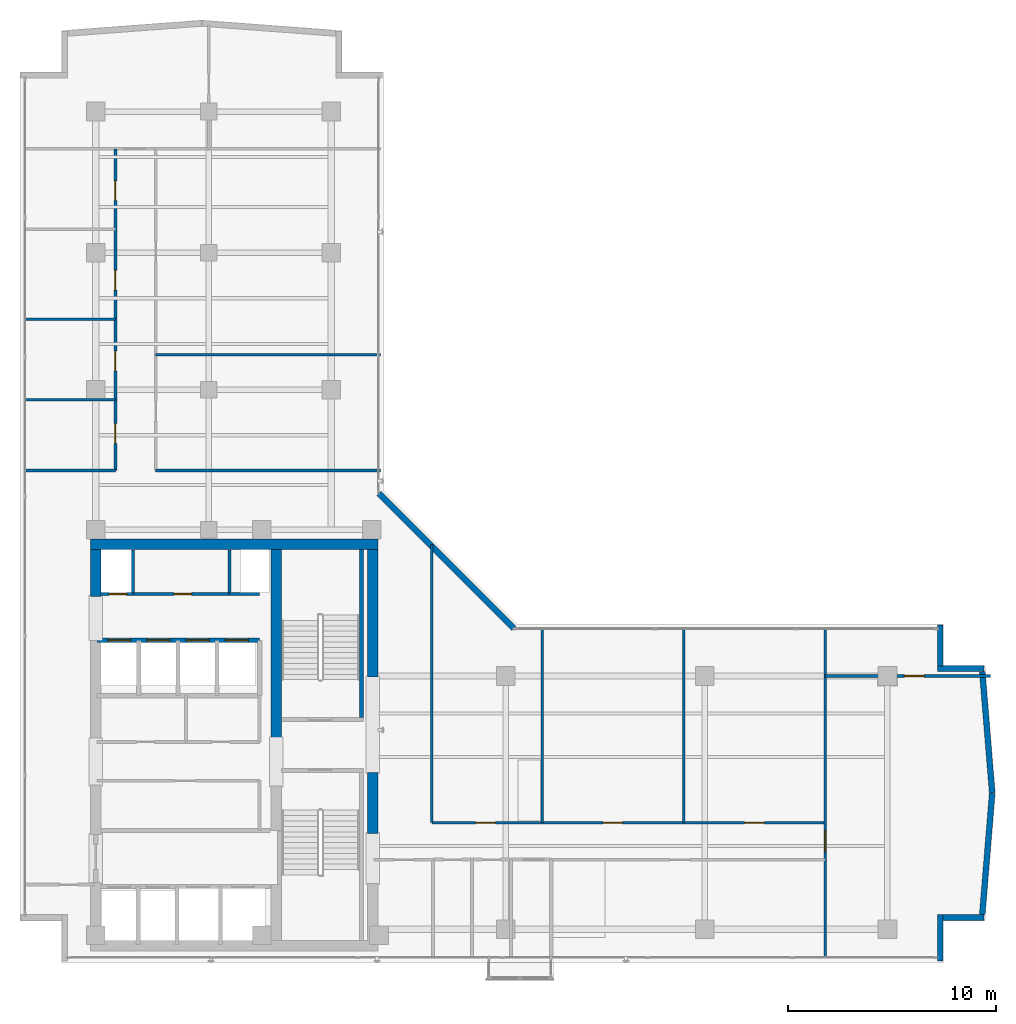
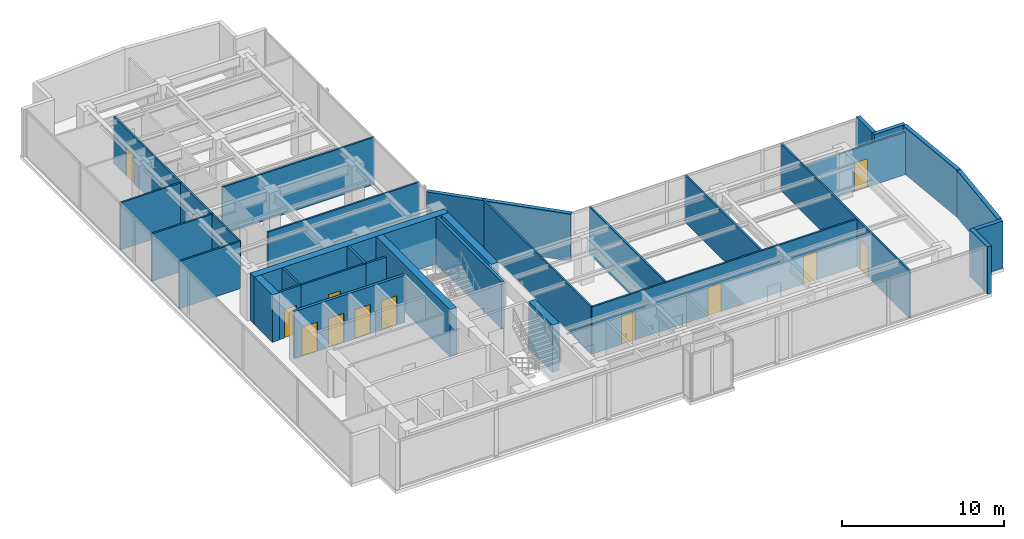
# One storey, part 18 of 24: 31 walls, 15 doors, 15 openings.
"""IFC4 building model written with IfcOpenShell, lengths in metres."""

import ifcopenshell
import ifcopenshell.guid

model = None  # the IFC model being written
_history = None  # IfcOwnerHistory: only IFC2X3 demands one
_inside = {}  # id of a spatial element -> (the spatial element, [elements in it])
_under = {}  # id of a project, library or spatial element -> (it, [spatial elements below it])
_declared = {}  # id of a project -> (the project, [libraries it declares])
_typed = {}  # id of a type object -> (the type object, [elements of that type])
_made_of = {}  # id of a material, layer set ... -> (it, [elements and type objects made of it])


def new_model(schema):
    """Start an empty IFC model of exactly this schema.

    Asked for "IFC4X3", IfcOpenShell would pick the latest addendum, in which some entities
    have other attributes; the version numbers below select the first issue.
    IFC2X3 requires an IfcOwnerHistory on every rooted entity: one is made here for all.
    """
    global model, _history
    if schema == "IFC4X3":
        model = ifcopenshell.file(schema_version=(4, 3, 0, 0))
    else:
        model = ifcopenshell.file(schema=schema)
    _inside.clear()
    _under.clear()
    _declared.clear()
    _typed.clear()
    _made_of.clear()
    _history = None
    if model.schema == "IFC2X3":
        org = make("IfcOrganization", Name="unknown")
        user = make(
            "IfcPersonAndOrganization",
            ThePerson=make("IfcPerson", FamilyName="unknown"),
            TheOrganization=org,
        )
        app = make(
            "IfcApplication",
            ApplicationDeveloper=org,
            Version="unknown",
            ApplicationFullName="unknown",
            ApplicationIdentifier="unknown",
        )
        _history = make(
            "IfcOwnerHistory",
            OwningUser=user,
            OwningApplication=app,
            ChangeAction="ADDED",
            CreationDate=0,
        )
    return model


def make(cls, **values):
    """One entity of the class cls with the attributes given. An attribute that is None is left unset."""
    return model.create_entity(
        cls, **{name: value for name, value in values.items() if value is not None}
    )


def rooted(cls, **values):
    """An entity with a GlobalId (a new one), such as an element, a storey or a relation."""
    return make(cls, GlobalId=ifcopenshell.guid.new(), OwnerHistory=_history, **values)


def si_unit(unit_type, name, prefix=None):
    """IfcSIUnit, for example si_unit("LENGTHUNIT", "METRE", prefix="MILLI")."""
    return make("IfcSIUnit", UnitType=unit_type, Prefix=prefix, Name=name)


def assignment(units):
    """IfcUnitAssignment: the units of a project."""
    return None if units is None else make("IfcUnitAssignment", Units=units)


def point(xyz):
    """IfcCartesianPoint."""
    return None if xyz is None else make("IfcCartesianPoint", Coordinates=xyz)


def direction(xyz):
    """IfcDirection."""
    return None if xyz is None else make("IfcDirection", DirectionRatios=xyz)


def frame(location, z_axis=None, x_axis=None):
    """IfcAxis2Placement3D, a coordinate frame: its origin and axes. An axis left out is left unset."""
    return make(
        "IfcAxis2Placement3D",
        Location=point(location),
        Axis=direction(z_axis),
        RefDirection=direction(x_axis),
    )


def frame_2d(location, x_axis=None):
    """IfcAxis2Placement2D, a coordinate frame in the plane: its origin and x axis."""
    return make(
        "IfcAxis2Placement2D", Location=point(location), RefDirection=direction(x_axis)
    )


def origin():
    """The frame at (0, 0, 0) with its axes left unset."""
    return frame((0.0, 0.0, 0.0))


def place(relative_to, where):
    """IfcLocalPlacement: puts the frame where relative to a parent placement (None: the world)."""
    return make(
        "IfcLocalPlacement", PlacementRelTo=relative_to, RelativePlacement=where
    )


def context(
    kind, dimensions, precision=None, world=None, true_north=None, identifier=None
):
    """IfcGeometricRepresentationContext, for example the 3D "Model" context."""
    return make(
        "IfcGeometricRepresentationContext",
        ContextIdentifier=identifier,
        ContextType=kind,
        CoordinateSpaceDimension=dimensions,
        Precision=precision,
        WorldCoordinateSystem=world,
        TrueNorth=true_north,
    )


def subcontext(parent, identifier, kind, view, scale=None):
    """IfcGeometricRepresentationSubContext, for example "Body" below "Model"."""
    return make(
        "IfcGeometricRepresentationSubContext",
        ContextIdentifier=identifier,
        ContextType=kind,
        ParentContext=parent,
        TargetScale=scale,
        TargetView=view,
    )


def project(units=None, contexts=None):
    """IfcProject with its units and contexts."""
    return rooted(
        "IfcProject",
        Name="project",
        RepresentationContexts=contexts,
        UnitsInContext=assignment(units),
    )


def spatial(cls, under=None, at=None, **own):
    """A site, building, storey or space (cls), placed at a placement, below another one or the project."""
    s = rooted(cls, ObjectPlacement=at, **own)
    if under is not None:
        _under.setdefault(under.id(), (under, []))[1].append(s)
    return s


def profile(cls, at=None, kind="AREA", **sizes):
    """A parametric profile (cls). Its sizes go by their IFC names, for example OverallWidth=200.0."""
    return make(cls, ProfileType=kind, Position=at, **sizes)


def rectangle(**sizes):
    """IfcRectangleProfileDef."""
    return profile("IfcRectangleProfileDef", **sizes)


def extrude(swept, where, along, depth):
    """IfcExtrudedAreaSolid: the profile swept, set in the frame where, extruded along a direction by depth."""
    return make(
        "IfcExtrudedAreaSolid",
        SweptArea=swept,
        Position=where,
        ExtrudedDirection=direction(along),
        Depth=depth,
    )


def shape(context_of_items, identifier, shape_type, items):
    """IfcShapeRepresentation: the items that make up one representation, for example the "Body"."""
    return make(
        "IfcShapeRepresentation",
        ContextOfItems=context_of_items,
        RepresentationIdentifier=identifier,
        RepresentationType=shape_type,
        Items=items,
    )


def material(Name=None, Category=None):
    """IfcMaterial."""
    return make("IfcMaterial", Name=Name, Category=Category)


def layer(
    of_material, thickness, ventilated=None, Name=None, Category=None, Priority=None
):
    """IfcMaterialLayer: one layer of a wall or slab, of a material (None: an air gap)."""
    return make(
        "IfcMaterialLayer",
        Material=of_material,
        LayerThickness=thickness,
        IsVentilated=ventilated,
        Name=Name,
        Category=Category,
        Priority=Priority,
    )


def layer_set(layers, Name=None):
    """IfcMaterialLayerSet."""
    return make("IfcMaterialLayerSet", MaterialLayers=layers, LayerSetName=Name)


def made_of(thing, what):
    """Note that an element or type object is made of a material, layer set ...; save() writes the relation."""
    if what is not None:
        _made_of.setdefault(what.id(), (what, []))[1].append(thing)
    return thing


def type_object(cls, material=None, **own):
    """A type object (cls), such as IfcWallType, which elements share."""
    return made_of(rooted(cls, **own), material)


def element(
    cls,
    number,
    at=None,
    inside=None,
    cuts=None,
    type_object=None,
    material=None,
    context=None,
    identifier="Body",
    shape_type=None,
    held_by="IfcProductDefinitionShape",
    body=None,
    shapes=None,
    **own,
):
    """One element of the class cls, such as IfcWall. Its Tag is "e" and its number.

    at: its placement. inside: the storey or other place that contains it. cuts: it is an
    opening in that element (IfcRelVoidsElement). A single representation is given by context,
    identifier, shape_type and body (its items); several are given by shapes. held_by: the class
    of the entity that holds the representations. save() writes the other relations.
    """
    e = rooted(cls, Tag="e%d" % number, ObjectPlacement=at, **own)
    if body is not None:
        shapes = [shape(context, identifier, shape_type, body)]
    if shapes is not None:
        e.Representation = make(held_by, Representations=shapes)
    if inside is not None:
        _inside.setdefault(inside.id(), (inside, []))[1].append(e)
    if cuts is not None:
        rooted(
            "IfcRelVoidsElement", RelatingBuildingElement=cuts, RelatedOpeningElement=e
        )
    if type_object is not None:
        _typed.setdefault(type_object.id(), (type_object, []))[1].append(e)
    return made_of(e, material)


def fill(opening, filler):
    """IfcRelFillsElement: the door or window that sits in an opening."""
    return rooted(
        "IfcRelFillsElement",
        RelatingOpeningElement=opening,
        RelatedBuildingElement=filler,
    )


def aggregate(whole, parts):
    """IfcRelAggregates: a whole, such as a stair, and the parts it consists of."""
    return rooted("IfcRelAggregates", RelatingObject=whole, RelatedObjects=parts)


def save(model, path):
    """Write the relations noted so far, then the file.

    IfcRelAggregates (storeys below a building ...), IfcRelContainedInSpatialStructure (elements
    in a storey), IfcRelDefinesByType, IfcRelAssociatesMaterial and IfcRelDeclares: one each for
    every whole, place, type object, material and project.
    """
    for whole, parts in _under.values():
        aggregate(whole, parts)
    for where, things in _inside.values():
        rooted(
            "IfcRelContainedInSpatialStructure",
            RelatedElements=things,
            RelatingStructure=where,
        )
    for kind, things in _typed.values():
        rooted("IfcRelDefinesByType", RelatedObjects=things, RelatingType=kind)
    for what, things in _made_of.values():
        rooted("IfcRelAssociatesMaterial", RelatedObjects=things, RelatingMaterial=what)
    for by, libraries in _declared.values():
        rooted("IfcRelDeclares", RelatingContext=by, RelatedDefinitions=libraries)
    model.write(path)


model = new_model("IFC4")

# Units and contexts
model_context = context("Model", 3, precision=1e-05, world=origin(), true_north=direction((0.0, 1.0)))
body_context = subcontext(model_context, "Body", "Model", "MODEL_VIEW")
ifc_project = project(units=[si_unit("LENGTHUNIT", "METRE"), si_unit("AREAUNIT", "SQUARE_METRE"), si_unit("VOLUMEUNIT", "CUBIC_METRE"), si_unit("PLANEANGLEUNIT", "RADIAN"), si_unit("MASSUNIT", "GRAM", prefix="KILO")], contexts=[model_context])

# Site, building, storey
site_placement = place(None, origin())
site = spatial("IfcSite", under=ifc_project, at=site_placement, CompositionType="ELEMENT")
building_placement = place(site_placement, origin())
building = spatial("IfcBuilding", under=site, at=building_placement, Name="Kolvaren Waterfront Exchange", CompositionType="ELEMENT")
storey_placement = place(building_placement, frame((0.0, 0.0, 293.199951171875)))
storey = spatial("IfcBuildingStorey", under=building, at=storey_placement, Name="L75", CompositionType="ELEMENT", Elevation=293.199951171875)

# Walls
ifc_material_1 = material(Name="Precast concrete C40/50", Category="concrete")
ifc_layer_1 = layer(ifc_material_1, 0.280029296875, Name="Precast concrete C40/50")
ifc_layer_set_1 = layer_set([ifc_layer_1], Name="Precast concrete C40/50")
wall_type_1 = type_object("IfcWallType", Name="ARC-EXT-TERR-280", PredefinedType="SOLIDWALL", material=ifc_layer_set_1)
wall_1_placement = place(storey_placement, frame((48.145263671875, 3.659912109375, 0.0), z_axis=(0.0, 0.0, 1.0), x_axis=(0.0, 1.0, 0.0)))
element("IfcWall", 1, at=wall_1_placement, inside=storey, type_object=wall_type_1, Name="L75 notched corner spandrel pier SE-A", PredefinedType="SOLIDWALL", context=body_context, shape_type="SweptSolid", body=[
    extrude(rectangle(XDim=2.239990234375, YDim=0.280029296875, at=frame_2d((1.1201171875, 0.0))), origin(), (0.0, 0.0, 1.0), 3.56005859375),
])
wall_2_placement = place(storey_placement, frame((48.285400390625, 5.760009765625, 0.0), z_axis=(0.0, 0.0, 1.0), x_axis=(1.0, 0.0, 0.0)))
element("IfcWall", 2, at=wall_2_placement, inside=storey, type_object=wall_type_1, Name="L75 notched corner spandrel pier SE-B", PredefinedType="SOLIDWALL", context=body_context, shape_type="SweptSolid", body=[
    extrude(rectangle(XDim=1.9599609375, YDim=0.280029296875, at=frame_2d((0.97998046875, 0.0))), origin(), (0.0, 0.0, 1.0), 3.56005859375),
])
wall_3_placement = place(storey_placement, frame((48.145263671875, 17.880859375, 0.0), z_axis=(0.0, 0.0, 1.0), x_axis=(0.0, 1.0, 0.0)))
element("IfcWall", 3, at=wall_3_placement, inside=storey, type_object=wall_type_1, Name="L75 notched corner spandrel pier ENE-A", PredefinedType="SOLIDWALL", context=body_context, shape_type="SweptSolid", body=[
    extrude(rectangle(XDim=1.974853515625, YDim=0.280029296875, at=frame_2d((0.9873046875, 0.0))), origin(), (0.0, 0.0, 1.0), 3.56005859375),
])
wall_4_placement = place(storey_placement, frame((48.00537109375, 17.755859375, 0.0), z_axis=(0.0, 0.0, 1.0), x_axis=(1.0, 0.0, 0.0)))
element("IfcWall", 4, at=wall_4_placement, inside=storey, type_object=wall_type_1, Name="L75 notched corner spandrel pier ENE-B", PredefinedType="SOLIDWALL", context=body_context, shape_type="SweptSolid", body=[
    extrude(rectangle(XDim=2.239990234375, YDim=0.280029296875, at=frame_2d((1.1201171875, 0.0))), origin(), (0.0, 0.0, 1.0), 3.56005859375),
])
wall_5_placement = place(storey_placement, frame((27.600830078125, 19.69091796875, 0.0), z_axis=(0.0, 0.0, 1.0), x_axis=(-0.707120040392, 0.707093521733, 0.0)))
element("IfcWall", 5, at=wall_5_placement, inside=storey, type_object=wall_type_1, Name="L75 notched corner spandrel pier ELBOW", PredefinedType="SOLIDWALL", context=body_context, shape_type="SweptSolid", body=[
    extrude(rectangle(XDim=9.206298828125, YDim=0.280029296875, at=frame_2d((4.60302734375, 0.0))), origin(), (0.0, 0.0, 1.0), 3.56005859375),
])
for number, where, z_axis, x_axis, name in (
    (6, (50.17041015625, 5.912109375, 0.0), (0.0, 0.0, 1.0), (0.081759061209, 0.996652123818, 0.0), "L75 east prow faceted facade wall 1"),
    (7, (50.6494140625, 11.7646484375, 0.0), (0.0, 0.0, 1.0), (-0.081759061209, 0.996652123818, 0.0), "L75 east prow faceted facade wall 2"),
):
    element("IfcWall", number, at=place(storey_placement, frame(where, z_axis=z_axis, x_axis=x_axis)), inside=storey, type_object=wall_type_1, Name=name, PredefinedType="SOLIDWALL", context=body_context, shape_type="SweptSolid", body=[
        extrude(rectangle(XDim=5.858642578125, YDim=0.280029296875, at=frame_2d((2.92919921875, 0.0))), origin(), (0.0, 0.0, 1.0), 3.56005859375),
    ])

# Wall, opening, door
ifc_material_2 = material(Name="Acoustic gypsum steel stud", Category="steel")
ifc_layer_2 = layer(ifc_material_2, 0.125, Name="Acoustic gypsum steel stud")
ifc_layer_set_2 = layer_set([ifc_layer_2], Name="Acoustic gypsum steel stud")
wall_type_2 = type_object("IfcWallType", Name="ARC-PART-125", PredefinedType="PARTITIONING", material=ifc_layer_set_2)
wall_6_placement = place(storey_placement, frame((9.25, 21.35009765625, 0.0), z_axis=(0.0, 0.0, 1.0), x_axis=(1.0, 0.0, 0.0)))
wall_6 = element("IfcWall", 8, at=wall_6_placement, inside=storey, type_object=wall_type_2, Name="L75 interior wall PW-L75-SVC-HI-S", PredefinedType="PARTITIONING", context=body_context, shape_type="SweptSolid", body=[
    extrude(rectangle(XDim=4.64990234375, YDim=0.125, at=frame_2d((2.324951171875, 0.0))), origin(), (0.0, 0.0, 1.0), 3.56005859375),
])
opening_1_placement = place(wall_6_placement, frame((1.971435546875, 0.0, 0.0)))
opening_1 = element("IfcOpeningElement", 9, at=opening_1_placement, cuts=wall_6, Name="Opening D01", PredefinedType="OPENING", context=body_context, shape_type="SweptSolid", body=[
    extrude(rectangle(XDim=0.85009765625, YDim=2.14990234375, at=frame_2d((0.425048828125, 1.074951171875))), frame((0.0, 0.072509765625, 0.0), z_axis=(0.0, -1.0, 0.0), x_axis=(1.0, 0.0, 0.0)), (0.0, 0.0, 1.0), 0.14501953125),
])
ifc_material_3 = material(Name="Oak veneer timber leaf", Category="wood")
door_type_1 = type_object("IfcDoorType", Name="ARC-DR-900", OperationType="NOTDEFINED", PredefinedType="DOOR", material=ifc_material_3)
door_1_placement = place(opening_1_placement, origin())
door_1 = element("IfcDoor", 10, at=door_1_placement, inside=storey, type_object=door_type_1, Name="L75 door DR-L75-SVC-DR-1 (D01)", OperationType="SINGLE_SWING_RIGHT", OverallHeight=2.14990234375, OverallWidth=0.85009765625, PredefinedType="DOOR", context=body_context, shape_type="SweptSolid", body=[
    extrude(rectangle(XDim=0.85009765625, YDim=2.14990234375, at=frame_2d((0.425048828125, 1.074951171875))), frame((0.0, 0.02490234375, 0.0), z_axis=(0.0, -1.0, 0.0), x_axis=(1.0, 0.0, 0.0)), (0.0, 0.0, 1.0), 0.050048828125),
])
fill(opening_1, door_1)

wall_7_placement = place(storey_placement, frame((42.60009765625, 3.840087890625, 0.0), z_axis=(0.0, 0.0, 1.0), x_axis=(0.0, 1.0, 0.0)))
wall_7 = element("IfcWall", 11, at=wall_7_placement, inside=storey, type_object=wall_type_2, Name="L75 interior wall PW-L75-ETIP-W", PredefinedType="PARTITIONING", context=body_context, shape_type="SweptSolid", body=[
    extrude(rectangle(XDim=15.919921875, YDim=0.125, at=frame_2d((7.9599609375, 0.0))), origin(), (0.0, 0.0, 1.0), 3.56005859375),
])
opening_2_placement = place(wall_7_placement, frame((5.10009765625, 0.0, 0.0)))
opening_2 = element("IfcOpeningElement", 12, at=opening_2_placement, cuts=wall_7, Name="Opening D03", PredefinedType="OPENING", context=body_context, shape_type="SweptSolid", body=[
    extrude(rectangle(XDim=1.0, YDim=2.199951171875, at=frame_2d((0.5, 1.10009765625))), frame((0.0, 0.072509765625, 0.0), z_axis=(0.0, -1.0, 0.0), x_axis=(1.0, 0.0, 0.0)), (0.0, 0.0, 1.0), 0.14501953125),
])
ifc_material_4 = material(Name="Oak veneer accessible timber", Category="wood")
door_type_2 = type_object("IfcDoorType", Name="ARC-DR-1000", OperationType="NOTDEFINED", PredefinedType="DOOR", material=ifc_material_4)
door_2_placement = place(opening_2_placement, origin())
door_2 = element("IfcDoor", 13, at=door_2_placement, inside=storey, type_object=door_type_2, Name="L75 door DR-L75-ETIP1-D (D03)", OperationType="SINGLE_SWING_LEFT", OverallHeight=2.199951171875, OverallWidth=1.0, PredefinedType="DOOR", context=body_context, shape_type="SweptSolid", body=[
    extrude(rectangle(XDim=1.0, YDim=2.199951171875, at=frame_2d((0.5, 1.10009765625))), frame((0.0, 0.02490234375, 0.0), z_axis=(0.0, -1.0, 0.0), x_axis=(1.0, 0.0, 0.0)), (0.0, 0.0, 1.0), 0.050048828125),
])
fill(opening_2, door_2)

wall_8_placement = place(storey_placement, frame((42.60009765625, 17.39990234375, 0.0), z_axis=(0.0, 0.0, 1.0), x_axis=(1.0, 0.0, 0.0)))
wall_8 = element("IfcWall", 14, at=wall_8_placement, inside=storey, type_object=wall_type_2, Name="L75 interior wall PW-L75-ETIP-MID", PredefinedType="PARTITIONING", context=body_context, shape_type="SweptSolid", body=[
    extrude(rectangle(XDim=7.970458984375, YDim=0.125, at=frame_2d((3.9853515625, 0.0))), origin(), (0.0, 0.0, 1.0), 3.199951171875),
])
opening_3_placement = place(wall_8_placement, frame((3.8125, 0.0, 0.0)))
opening_3 = element("IfcOpeningElement", 15, at=opening_3_placement, cuts=wall_8, Name="Opening D02", PredefinedType="OPENING", context=body_context, shape_type="SweptSolid", body=[
    extrude(rectangle(XDim=0.949951171875, YDim=2.14990234375, at=frame_2d((0.47509765625, 1.074951171875))), frame((0.0, 0.072509765625, 0.0), z_axis=(0.0, -1.0, 0.0), x_axis=(1.0, 0.0, 0.0)), (0.0, 0.0, 1.0), 0.14501953125),
])
ifc_material_5 = material(Name="Oak veneer acoustic timber", Category="wood")
door_type_3 = type_object("IfcDoorType", Name="ARC-DR-950", OperationType="NOTDEFINED", PredefinedType="DOOR", material=ifc_material_5)
door_3_placement = place(opening_3_placement, origin())
door_3 = element("IfcDoor", 16, at=door_3_placement, inside=storey, type_object=door_type_3, Name="L75 door DR-L75-ETIP2-D (D02)", OperationType="SINGLE_SWING_RIGHT", OverallHeight=2.14990234375, OverallWidth=0.949951171875, PredefinedType="DOOR", context=body_context, shape_type="SweptSolid", body=[
    extrude(rectangle(XDim=0.949951171875, YDim=2.14990234375, at=frame_2d((0.47509765625, 1.074951171875))), frame((0.0, 0.02490234375, 0.0), z_axis=(0.0, -1.0, 0.0), x_axis=(1.0, 0.0, 0.0)), (0.0, 0.0, 1.0), 0.050048828125),
])
fill(opening_3, door_3)

# Wall
wall_9_placement = place(storey_placement, frame((23.64990234375, 10.330078125, 0.0), z_axis=(0.0, 0.0, 1.0), x_axis=(0.0, 1.0, 0.0)))
element("IfcWall", 17, at=wall_9_placement, inside=storey, type_object=wall_type_2, Name="L75 interior wall PW-L75-EN-W0", PredefinedType="PARTITIONING", context=body_context, shape_type="SweptSolid", body=[
    extrude(rectangle(XDim=13.41162109375, YDim=0.125, at=frame_2d((6.705810546875, 0.0))), origin(), (0.0, 0.0, 1.0), 3.56005859375),
])

# Wall, openings, doors
wall_10_placement = place(storey_placement, frame((23.64990234375, 10.330078125, 0.0), z_axis=(0.0, 0.0, 1.0), x_axis=(1.0, 0.0, 0.0)))
wall_10 = element("IfcWall", 18, at=wall_10_placement, inside=storey, type_object=wall_type_2, Name="L75 interior wall PW-L75-EN-CORR", PredefinedType="PARTITIONING", context=body_context, shape_type="SweptSolid", body=[
    extrude(rectangle(XDim=18.9501953125, YDim=0.125, at=frame_2d((9.47509765625, 0.0))), origin(), (0.0, 0.0, 1.0), 3.56005859375),
])
opening_4_placement = place(wall_10_placement, frame((2.10888671875, 0.0, 0.0)))
opening_4 = element("IfcOpeningElement", 19, at=opening_4_placement, cuts=wall_10, Name="Opening D02", PredefinedType="OPENING", context=body_context, shape_type="SweptSolid", body=[
    extrude(rectangle(XDim=0.949951171875, YDim=2.14990234375, at=frame_2d((0.47509765625, 1.074951171875))), frame((0.0, 0.072509765625, 0.0), z_axis=(0.0, -1.0, 0.0), x_axis=(1.0, 0.0, 0.0)), (0.0, 0.0, 1.0), 0.14501953125),
])
opening_5_placement = place(wall_10_placement, frame((8.2451171875, 0.0, 0.0)))
opening_5 = element("IfcOpeningElement", 20, at=opening_5_placement, cuts=wall_10, Name="Opening D02", PredefinedType="OPENING", context=body_context, shape_type="SweptSolid", body=[
    extrude(rectangle(XDim=0.949951171875, YDim=2.14990234375, at=frame_2d((0.47509765625, 1.074951171875))), frame((0.0, 0.072509765625, 0.0), z_axis=(0.0, -1.0, 0.0), x_axis=(1.0, 0.0, 0.0)), (0.0, 0.0, 1.0), 0.14501953125),
])
opening_6_placement = place(wall_10_placement, frame((15.06494140625, 0.0, 0.0)))
opening_6 = element("IfcOpeningElement", 21, at=opening_6_placement, cuts=wall_10, Name="Opening D02", PredefinedType="OPENING", context=body_context, shape_type="SweptSolid", body=[
    extrude(rectangle(XDim=0.949951171875, YDim=2.14990234375, at=frame_2d((0.47509765625, 1.074951171875))), frame((0.0, 0.072509765625, 0.0), z_axis=(0.0, -1.0, 0.0), x_axis=(1.0, 0.0, 0.0)), (0.0, 0.0, 1.0), 0.14501953125),
])
door_4_placement = place(opening_4_placement, origin())
door_4 = element("IfcDoor", 22, at=door_4_placement, inside=storey, type_object=door_type_3, Name="L75 door DR-L75-EN-D-1 (D02)", OperationType="SINGLE_SWING_LEFT", OverallHeight=2.14990234375, OverallWidth=0.949951171875, PredefinedType="DOOR", context=body_context, shape_type="SweptSolid", body=[
    extrude(rectangle(XDim=0.949951171875, YDim=2.14990234375, at=frame_2d((0.47509765625, 1.074951171875))), frame((0.0, 0.02490234375, 0.0), z_axis=(0.0, -1.0, 0.0), x_axis=(1.0, 0.0, 0.0)), (0.0, 0.0, 1.0), 0.050048828125),
])
fill(opening_4, door_4)
door_5_placement = place(opening_5_placement, origin())
door_5 = element("IfcDoor", 23, at=door_5_placement, inside=storey, type_object=door_type_3, Name="L75 door DR-L75-EN-D-2 (D02)", OperationType="SINGLE_SWING_RIGHT", OverallHeight=2.14990234375, OverallWidth=0.949951171875, PredefinedType="DOOR", context=body_context, shape_type="SweptSolid", body=[
    extrude(rectangle(XDim=0.949951171875, YDim=2.14990234375, at=frame_2d((0.47509765625, 1.074951171875))), frame((0.0, 0.02490234375, 0.0), z_axis=(0.0, -1.0, 0.0), x_axis=(1.0, 0.0, 0.0)), (0.0, 0.0, 1.0), 0.050048828125),
])
fill(opening_5, door_5)
door_6_placement = place(opening_6_placement, origin())
door_6 = element("IfcDoor", 24, at=door_6_placement, inside=storey, type_object=door_type_3, Name="L75 door DR-L75-EN-D-3 (D02)", OperationType="SINGLE_SWING_LEFT", OverallHeight=2.14990234375, OverallWidth=0.949951171875, PredefinedType="DOOR", context=body_context, shape_type="SweptSolid", body=[
    extrude(rectangle(XDim=0.949951171875, YDim=2.14990234375, at=frame_2d((0.47509765625, 1.074951171875))), frame((0.0, 0.02490234375, 0.0), z_axis=(0.0, -1.0, 0.0), x_axis=(1.0, 0.0, 0.0)), (0.0, 0.0, 1.0), 0.050048828125),
])
fill(opening_6, door_6)

# Walls
for number, where, z_axis, x_axis, name in (
    (25, (28.9599609375, 10.330078125, 0.0), (0.0, 0.0, 1.0), (0.0, 1.0, 0.0), "L75 interior wall PW-L75-EN-DIV-1"),
    (26, (35.780029296875, 10.330078125, 0.0), (0.0, 0.0, 1.0), (0.0, 1.0, 0.0), "L75 interior wall PW-L75-EN-DIV-2"),
):
    element("IfcWall", number, at=place(storey_placement, frame(where, z_axis=z_axis, x_axis=x_axis)), inside=storey, type_object=wall_type_2, Name=name, PredefinedType="PARTITIONING", context=body_context, shape_type="SweptSolid", body=[
        extrude(rectangle(XDim=9.429931640625, YDim=0.125, at=frame_2d((4.71484375, 0.0))), origin(), (0.0, 0.0, 1.0), 3.56005859375),
    ])
wall_11_placement = place(storey_placement, frame((4.0400390625, 27.300048828125, 0.0), z_axis=(0.0, 0.0, 1.0), x_axis=(1.0, 0.0, 0.0)))
element("IfcWall", 27, at=wall_11_placement, inside=storey, type_object=wall_type_2, Name="L75 interior wall PW-L75-NW-S0", PredefinedType="PARTITIONING", context=body_context, shape_type="SweptSolid", body=[
    extrude(rectangle(XDim=4.35986328125, YDim=0.125, at=frame_2d((2.179931640625, 0.0))), origin(), (0.0, 0.0, 1.0), 3.56005859375),
])

# Wall, openings, doors
wall_12_placement = place(storey_placement, frame((8.39990234375, 27.300048828125, 0.0), z_axis=(0.0, 0.0, 1.0), x_axis=(0.0, 1.0, 0.0)))
wall_12 = element("IfcWall", 28, at=wall_12_placement, inside=storey, type_object=wall_type_2, Name="L75 interior wall PW-L75-NW-CORR", PredefinedType="PARTITIONING", context=body_context, shape_type="SweptSolid", body=[
    extrude(rectangle(XDim=15.5, YDim=0.125, at=frame_2d((7.75, 0.0))), origin(), (0.0, 0.0, 1.0), 3.56005859375),
])
opening_7_placement = place(wall_12_placement, frame((1.305419921875, 0.0, 0.0)))
opening_7 = element("IfcOpeningElement", 29, at=opening_7_placement, cuts=wall_12, Name="Opening D02", PredefinedType="OPENING", context=body_context, shape_type="SweptSolid", body=[
    extrude(rectangle(XDim=0.949951171875, YDim=2.14990234375, at=frame_2d((0.47509765625, 1.074951171875))), frame((0.0, 0.072509765625, 0.0), z_axis=(0.0, -1.0, 0.0), x_axis=(1.0, 0.0, 0.0)), (0.0, 0.0, 1.0), 0.14501953125),
])
opening_8_placement = place(wall_12_placement, frame((4.803955078125, 0.0, 0.0)))
opening_8 = element("IfcOpeningElement", 30, at=opening_8_placement, cuts=wall_12, Name="Opening D02", PredefinedType="OPENING", context=body_context, shape_type="SweptSolid", body=[
    extrude(rectangle(XDim=0.949951171875, YDim=2.14990234375, at=frame_2d((0.47509765625, 1.074951171875))), frame((0.0, 0.072509765625, 0.0), z_axis=(0.0, -1.0, 0.0), x_axis=(1.0, 0.0, 0.0)), (0.0, 0.0, 1.0), 0.14501953125),
])
opening_9_placement = place(wall_12_placement, frame((8.693359375, 0.0, 0.0)))
opening_9 = element("IfcOpeningElement", 31, at=opening_9_placement, cuts=wall_12, Name="Opening D02", PredefinedType="OPENING", context=body_context, shape_type="SweptSolid", body=[
    extrude(rectangle(XDim=0.949951171875, YDim=2.14990234375, at=frame_2d((0.47509765625, 1.074951171875))), frame((0.0, 0.072509765625, 0.0), z_axis=(0.0, -1.0, 0.0), x_axis=(1.0, 0.0, 0.0)), (0.0, 0.0, 1.0), 0.14501953125),
])
opening_10_placement = place(wall_12_placement, frame((13.013916015625, 0.0, 0.0)))
opening_10 = element("IfcOpeningElement", 32, at=opening_10_placement, cuts=wall_12, Name="Opening D02", PredefinedType="OPENING", context=body_context, shape_type="SweptSolid", body=[
    extrude(rectangle(XDim=0.949951171875, YDim=2.14990234375, at=frame_2d((0.47509765625, 1.074951171875))), frame((0.0, 0.072509765625, 0.0), z_axis=(0.0, -1.0, 0.0), x_axis=(1.0, 0.0, 0.0)), (0.0, 0.0, 1.0), 0.14501953125),
])
door_7_placement = place(opening_7_placement, origin())
door_7 = element("IfcDoor", 33, at=door_7_placement, inside=storey, type_object=door_type_3, Name="L75 door DR-L75-NW-D-1 (D02)", OperationType="SINGLE_SWING_RIGHT", OverallHeight=2.14990234375, OverallWidth=0.949951171875, PredefinedType="DOOR", context=body_context, shape_type="SweptSolid", body=[
    extrude(rectangle(XDim=0.949951171875, YDim=2.14990234375, at=frame_2d((0.47509765625, 1.074951171875))), frame((0.0, 0.02490234375, 0.0), z_axis=(0.0, -1.0, 0.0), x_axis=(1.0, 0.0, 0.0)), (0.0, 0.0, 1.0), 0.050048828125),
])
fill(opening_7, door_7)
door_8_placement = place(opening_8_placement, origin())
door_8 = element("IfcDoor", 34, at=door_8_placement, inside=storey, type_object=door_type_3, Name="L75 door DR-L75-NW-D-2 (D02)", OperationType="SINGLE_SWING_LEFT", OverallHeight=2.14990234375, OverallWidth=0.949951171875, PredefinedType="DOOR", context=body_context, shape_type="SweptSolid", body=[
    extrude(rectangle(XDim=0.949951171875, YDim=2.14990234375, at=frame_2d((0.47509765625, 1.074951171875))), frame((0.0, 0.02490234375, 0.0), z_axis=(0.0, -1.0, 0.0), x_axis=(1.0, 0.0, 0.0)), (0.0, 0.0, 1.0), 0.050048828125),
])
fill(opening_8, door_8)
door_9_placement = place(opening_9_placement, origin())
door_9 = element("IfcDoor", 35, at=door_9_placement, inside=storey, type_object=door_type_3, Name="L75 door DR-L75-NW-D-3 (D02)", OperationType="SINGLE_SWING_RIGHT", OverallHeight=2.14990234375, OverallWidth=0.949951171875, PredefinedType="DOOR", context=body_context, shape_type="SweptSolid", body=[
    extrude(rectangle(XDim=0.949951171875, YDim=2.14990234375, at=frame_2d((0.47509765625, 1.074951171875))), frame((0.0, 0.02490234375, 0.0), z_axis=(0.0, -1.0, 0.0), x_axis=(1.0, 0.0, 0.0)), (0.0, 0.0, 1.0), 0.050048828125),
])
fill(opening_9, door_9)
door_10_placement = place(opening_10_placement, origin())
door_10 = element("IfcDoor", 36, at=door_10_placement, inside=storey, type_object=door_type_3, Name="L75 door DR-L75-NW-D-4 (D02)", OperationType="SINGLE_SWING_LEFT", OverallHeight=2.14990234375, OverallWidth=0.949951171875, PredefinedType="DOOR", context=body_context, shape_type="SweptSolid", body=[
    extrude(rectangle(XDim=0.949951171875, YDim=2.14990234375, at=frame_2d((0.47509765625, 1.074951171875))), frame((0.0, 0.02490234375, 0.0), z_axis=(0.0, -1.0, 0.0), x_axis=(1.0, 0.0, 0.0)), (0.0, 0.0, 1.0), 0.050048828125),
])
fill(opening_10, door_10)

# Walls
for number, where, z_axis, x_axis, name in (
    (37, (4.0400390625, 30.7099609375, 0.0), (0.0, 0.0, 1.0), (1.0, 0.0, 0.0), "L75 interior wall PW-L75-NW-DIV-1"),
    (38, (4.0400390625, 34.590087890625, 0.0), (0.0, 0.0, 1.0), (1.0, 0.0, 0.0), "L75 interior wall PW-L75-NW-DIV-2"),
):
    element("IfcWall", number, at=place(storey_placement, frame(where, z_axis=z_axis, x_axis=x_axis)), inside=storey, type_object=wall_type_2, Name=name, PredefinedType="PARTITIONING", context=body_context, shape_type="SweptSolid", body=[
        extrude(rectangle(XDim=4.35986328125, YDim=0.125, at=frame_2d((2.179931640625, 0.0))), origin(), (0.0, 0.0, 1.0), 3.56005859375),
    ])
for number, where, z_axis, x_axis, name in (
    (39, (10.340087890625, 27.300048828125, 0.0), (0.0, 0.0, 1.0), (1.0, 0.0, 0.0), "L75 interior wall PW-L75-NE-S0"),
    (40, (10.340087890625, 32.8798828125, 0.0), (0.0, 0.0, 1.0), (1.0, 0.0, 0.0), "L75 interior wall PW-L75-NE-DIV-1"),
):
    element("IfcWall", number, at=place(storey_placement, frame(where, z_axis=z_axis, x_axis=x_axis)), inside=storey, type_object=wall_type_2, Name=name, PredefinedType="PARTITIONING", context=body_context, shape_type="SweptSolid", body=[
        extrude(rectangle(XDim=10.81982421875, YDim=0.125, at=frame_2d((5.409912109375, 0.0))), origin(), (0.0, 0.0, 1.0), 3.56005859375),
    ])
ifc_material_6 = material(Name="Gypsum fireboard steel stud", Category="steel")
ifc_layer_3 = layer(ifc_material_6, 0.14990234375, Name="Gypsum fireboard steel stud")
ifc_layer_set_3 = layer_set([ifc_layer_3], Name="Gypsum fireboard steel stud")
wall_type_3 = type_object("IfcWallType", Name="ARC-PART-150", PredefinedType="PARTITIONING", material=ifc_layer_set_3)
for number, where, z_axis, x_axis, name in (
    (41, (9.25, 21.35009765625, 0.0), (0.0, 0.0, 1.0), (0.0, 1.0, 0.0), "L75 interior wall PW-L75-SVC-R1"),
    (42, (13.89990234375, 21.35009765625, 0.0), (0.0, 0.0, 1.0), (0.0, 1.0, 0.0), "L75 interior wall PW-L75-SVC-R2"),
):
    element("IfcWall", number, at=place(storey_placement, frame(where, z_axis=z_axis, x_axis=x_axis)), inside=storey, type_object=wall_type_3, Name=name, PredefinedType="PARTITIONING", context=body_context, shape_type="SweptSolid", body=[
        extrude(rectangle(XDim=2.1298828125, YDim=0.14990234375, at=frame_2d((1.06494140625, 0.0))), origin(), (0.0, 0.0, 1.0), 3.56005859375),
    ])

# Wall, opening, door
wall_13_placement = place(storey_placement, frame((7.699951171875, 21.35009765625, 0.0), z_axis=(0.0, 0.0, 1.0), x_axis=(1.0, 0.0, 0.0)))
wall_13 = element("IfcWall", 43, at=wall_13_placement, inside=storey, type_object=wall_type_3, Name="L75 interior wall PW-L75-SVC-RE-S", PredefinedType="PARTITIONING", context=body_context, shape_type="SweptSolid", body=[
    extrude(rectangle(XDim=1.550048828125, YDim=0.14990234375, at=frame_2d((0.77490234375, 0.0))), origin(), (0.0, 0.0, 1.0), 3.56005859375),
])
opening_11_placement = place(wall_13_placement, frame((0.389892578125, 0.0, 0.0)))
opening_11 = element("IfcOpeningElement", 44, at=opening_11_placement, cuts=wall_13, Name="Opening FD1", PredefinedType="OPENING", context=body_context, shape_type="SweptSolid", body=[
    extrude(rectangle(XDim=0.85009765625, YDim=2.14990234375, at=frame_2d((0.425048828125, 1.074951171875))), frame((0.0, 0.0849609375, 0.0), z_axis=(0.0, -1.0, 0.0), x_axis=(1.0, 0.0, 0.0)), (0.0, 0.0, 1.0), 0.169921875),
])
ifc_material_7 = material(Name="Pressed steel fire leaf", Category="steel")
door_type_4 = type_object("IfcDoorType", Name="ARC-FD-900", OperationType="NOTDEFINED", PredefinedType="DOOR", material=ifc_material_7)
door_11_placement = place(opening_11_placement, origin())
door_11 = element("IfcDoor", 45, at=door_11_placement, inside=storey, type_object=door_type_4, Name="L75 door DR-L75-RISER-E-DR (FD1)", OperationType="SINGLE_SWING_LEFT", OverallHeight=2.14990234375, OverallWidth=0.85009765625, PredefinedType="DOOR", context=body_context, shape_type="SweptSolid", body=[
    extrude(rectangle(XDim=0.85009765625, YDim=2.14990234375, at=frame_2d((0.425048828125, 1.074951171875))), frame((0.0, 0.02490234375, 0.0), z_axis=(0.0, -1.0, 0.0), x_axis=(1.0, 0.0, 0.0)), (0.0, 0.0, 1.0), 0.050048828125),
])
fill(opening_11, door_11)

# Walls
wall_14_placement = place(storey_placement, frame((13.89990234375, 21.35009765625, 0.0), z_axis=(0.0, 0.0, 1.0), x_axis=(1.0, 0.0, 0.0)))
element("IfcWall", 46, at=wall_14_placement, inside=storey, type_object=wall_type_3, Name="L75 interior wall PW-L75-SVC-RP-S", PredefinedType="PARTITIONING", context=body_context, shape_type="SweptSolid", body=[
    extrude(rectangle(XDim=1.4501953125, YDim=0.14990234375, at=frame_2d((0.72509765625, 0.0))), origin(), (0.0, 0.0, 1.0), 3.56005859375),
])
ifc_material_8 = material(Name="Concrete C40/50", Category="concrete")
ifc_layer_4 = layer(ifc_material_8, 0.199951171875, Name="Concrete C40/50")
ifc_layer_set_4 = layer_set([ifc_layer_4], Name="Concrete C40/50")
wall_type_4 = type_object("IfcWallType", Name="ARC-SHAFT-200", PredefinedType="PARTITIONING", material=ifc_layer_set_4)
wall_15_placement = place(storey_placement, frame((20.260009765625, 15.39990234375, 0.0), z_axis=(0.0, 0.0, 1.0), x_axis=(0.0, 1.0, 0.0)))
element("IfcWall", 47, at=wall_15_placement, inside=storey, type_object=wall_type_4, Name="L75 structural stairwell wall PW-L75-ST2-E", PredefinedType="SHEAR", context=body_context, shape_type="SweptSolid", body=[
    extrude(rectangle(XDim=8.090087890625, YDim=0.199951171875, at=frame_2d((4.044921875, 0.0))), origin(), (0.0, 0.0, 1.0), 3.56005859375),
])

# Wall, openings, doors
wall_16_placement = place(storey_placement, frame((7.5, 19.1201171875, 0.0), z_axis=(0.0, 0.0, 1.0), x_axis=(1.0, 0.0, 0.0)))
wall_16 = element("IfcWall", 48, at=wall_16_placement, inside=storey, type_object=wall_type_4, Name="L75 interior wall PW-L75-PH-N", PredefinedType="PARTITIONING", context=body_context, shape_type="SweptSolid", body=[
    extrude(rectangle(XDim=7.85009765625, YDim=0.199951171875, at=frame_2d((3.925048828125, 0.0))), origin(), (0.0, 0.0, 1.0), 3.56005859375),
])
opening_12_placement = place(wall_16_placement, frame((0.530029296875, 0.0, 0.0)))
opening_12 = element("IfcOpeningElement", 49, at=opening_12_placement, cuts=wall_16, Name="Opening LD2", PredefinedType="OPENING", context=body_context, shape_type="SweptSolid", body=[
    extrude(rectangle(XDim=1.10009765625, YDim=2.199951171875, at=frame_2d((0.550048828125, 1.10009765625))), frame((0.0, 0.10986328125, 0.0), z_axis=(0.0, -1.0, 0.0), x_axis=(1.0, 0.0, 0.0)), (0.0, 0.0, 1.0), 0.219970703125),
])
opening_13_placement = place(wall_16_placement, frame((2.419921875, 0.0, 0.0)))
opening_13 = element("IfcOpeningElement", 50, at=opening_13_placement, cuts=wall_16, Name="Opening LD2", PredefinedType="OPENING", context=body_context, shape_type="SweptSolid", body=[
    extrude(rectangle(XDim=1.10009765625, YDim=2.199951171875, at=frame_2d((0.550048828125, 1.10009765625))), frame((0.0, 0.10986328125, 0.0), z_axis=(0.0, -1.0, 0.0), x_axis=(1.0, 0.0, 0.0)), (0.0, 0.0, 1.0), 0.219970703125),
])
opening_14_placement = place(wall_16_placement, frame((4.31005859375, 0.0, 0.0)))
opening_14 = element("IfcOpeningElement", 51, at=opening_14_placement, cuts=wall_16, Name="Opening LD2", PredefinedType="OPENING", context=body_context, shape_type="SweptSolid", body=[
    extrude(rectangle(XDim=1.10009765625, YDim=2.199951171875, at=frame_2d((0.550048828125, 1.10009765625))), frame((0.0, 0.10986328125, 0.0), z_axis=(0.0, -1.0, 0.0), x_axis=(1.0, 0.0, 0.0)), (0.0, 0.0, 1.0), 0.219970703125),
])
opening_15_placement = place(wall_16_placement, frame((6.199951171875, 0.0, 0.0)))
opening_15 = element("IfcOpeningElement", 52, at=opening_15_placement, cuts=wall_16, Name="Opening LD2", PredefinedType="OPENING", context=body_context, shape_type="SweptSolid", body=[
    extrude(rectangle(XDim=1.10009765625, YDim=2.199951171875, at=frame_2d((0.550048828125, 1.10009765625))), frame((0.0, 0.10986328125, 0.0), z_axis=(0.0, -1.0, 0.0), x_axis=(1.0, 0.0, 0.0)), (0.0, 0.0, 1.0), 0.219970703125),
])
ifc_material_9 = material(Name="Brushed bronze sliding landing door", Category="aluminium")
door_type_5 = type_object("IfcDoorType", Name="ARC-LD-PAX", OperationType="SLIDING_TO_LEFT", PredefinedType="DOOR", material=ifc_material_9)
door_12_placement = place(opening_12_placement, origin())
door_12 = element("IfcDoor", 53, at=door_12_placement, inside=storey, type_object=door_type_5, Name="L75 door LD-L75-PH1 (LD2)", OperationType="SLIDING_TO_LEFT", OverallHeight=2.199951171875, OverallWidth=1.10009765625, PredefinedType="DOOR", context=body_context, shape_type="SweptSolid", body=[
    extrude(rectangle(XDim=1.10009765625, YDim=2.199951171875, at=frame_2d((0.550048828125, 1.10009765625))), frame((0.0, 0.02490234375, 0.0), z_axis=(0.0, -1.0, 0.0), x_axis=(1.0, 0.0, 0.0)), (0.0, 0.0, 1.0), 0.050048828125),
])
fill(opening_12, door_12)
door_13_placement = place(opening_13_placement, origin())
door_13 = element("IfcDoor", 54, at=door_13_placement, inside=storey, type_object=door_type_5, Name="L75 door LD-L75-PH2 (LD2)", OperationType="SLIDING_TO_LEFT", OverallHeight=2.199951171875, OverallWidth=1.10009765625, PredefinedType="DOOR", context=body_context, shape_type="SweptSolid", body=[
    extrude(rectangle(XDim=1.10009765625, YDim=2.199951171875, at=frame_2d((0.550048828125, 1.10009765625))), frame((0.0, 0.02490234375, 0.0), z_axis=(0.0, -1.0, 0.0), x_axis=(1.0, 0.0, 0.0)), (0.0, 0.0, 1.0), 0.050048828125),
])
fill(opening_13, door_13)
door_14_placement = place(opening_14_placement, origin())
door_14 = element("IfcDoor", 55, at=door_14_placement, inside=storey, type_object=door_type_5, Name="L75 door LD-L75-PH3 (LD2)", OperationType="SLIDING_TO_LEFT", OverallHeight=2.199951171875, OverallWidth=1.10009765625, PredefinedType="DOOR", context=body_context, shape_type="SweptSolid", body=[
    extrude(rectangle(XDim=1.10009765625, YDim=2.199951171875, at=frame_2d((0.550048828125, 1.10009765625))), frame((0.0, 0.02490234375, 0.0), z_axis=(0.0, -1.0, 0.0), x_axis=(1.0, 0.0, 0.0)), (0.0, 0.0, 1.0), 0.050048828125),
])
fill(opening_14, door_14)
door_15_placement = place(opening_15_placement, origin())
door_15 = element("IfcDoor", 56, at=door_15_placement, inside=storey, type_object=door_type_5, Name="L75 door LD-L75-PH4 (LD2)", OperationType="SLIDING_TO_LEFT", OverallHeight=2.199951171875, OverallWidth=1.10009765625, PredefinedType="DOOR", context=body_context, shape_type="SweptSolid", body=[
    extrude(rectangle(XDim=1.10009765625, YDim=2.199951171875, at=frame_2d((0.550048828125, 1.10009765625))), frame((0.0, 0.02490234375, 0.0), z_axis=(0.0, -1.0, 0.0), x_axis=(1.0, 0.0, 0.0)), (0.0, 0.0, 1.0), 0.050048828125),
])
fill(opening_15, door_15)

# Walls
ifc_material_10 = material(Name="Concrete C50/60", Category="concrete")
ifc_layer_5 = layer(ifc_material_10, 0.5, Name="Concrete C50/60")
ifc_layer_set_5 = layer_set([ifc_layer_5], Name="Concrete C50/60")
wall_type_5 = type_object("IfcWallType", Name="STR-CWALL-500", PredefinedType="SHEAR", material=ifc_layer_set_5)
wall_17_placement = place(storey_placement, frame((7.199951171875, 23.75, 0.0), z_axis=(0.0, 0.0, 1.0), x_axis=(1.0, 0.0, 0.0)))
element("IfcWall", 57, at=wall_17_placement, inside=storey, type_object=wall_type_5, Name="L75 rear-core shear wall N", PredefinedType="SHEAR", context=body_context, shape_type="SweptSolid", body=[
    extrude(rectangle(XDim=13.85009765625, YDim=0.5, at=frame_2d((6.925048828125, 0.0))), origin(), (0.0, 0.0, 1.0), 3.56005859375),
])
wall_18_placement = place(storey_placement, frame((7.449951171875, 21.239990234375, 0.0), z_axis=(0.0, 0.0, 1.0), x_axis=(0.0, 1.0, 0.0)))
element("IfcWall", 58, at=wall_18_placement, inside=storey, type_object=wall_type_5, Name="L75 rear-core shear wall W3", PredefinedType="SHEAR", context=body_context, shape_type="SweptSolid", body=[
    extrude(rectangle(XDim=2.260009765625, YDim=0.5, at=frame_2d((1.1298828125, 0.0))), origin(), (0.0, 0.0, 1.0), 3.56005859375),
])
wall_19_placement = place(storey_placement, frame((20.800048828125, 9.800048828125, 0.0), z_axis=(0.0, 0.0, 1.0), x_axis=(0.0, 1.0, 0.0)))
element("IfcWall", 59, at=wall_19_placement, inside=storey, type_object=wall_type_5, Name="L75 rear-core shear wall E2", PredefinedType="SHEAR", context=body_context, shape_type="SweptSolid", body=[
    extrude(rectangle(XDim=2.949951171875, YDim=0.5, at=frame_2d((1.47509765625, 0.0))), origin(), (0.0, 0.0, 1.0), 3.56005859375),
])
wall_20_placement = place(storey_placement, frame((20.800048828125, 17.35009765625, 0.0), z_axis=(0.0, 0.0, 1.0), x_axis=(0.0, 1.0, 0.0)))
element("IfcWall", 60, at=wall_20_placement, inside=storey, type_object=wall_type_5, Name="L75 rear-core shear wall E3", PredefinedType="SHEAR", context=body_context, shape_type="SweptSolid", body=[
    extrude(rectangle(XDim=6.14990234375, YDim=0.5, at=frame_2d((3.074951171875, 0.0))), origin(), (0.0, 0.0, 1.0), 3.56005859375),
])
wall_21_placement = place(storey_placement, frame((16.14990234375, 14.39990234375, 0.0), z_axis=(0.0, 0.0, 1.0), x_axis=(0.0, 1.0, 0.0)))
element("IfcWall", 61, at=wall_21_placement, inside=storey, type_object=wall_type_5, Name="L75 rear-core shear wall M3", PredefinedType="SHEAR", context=body_context, shape_type="SweptSolid", body=[
    extrude(rectangle(XDim=9.10009765625, YDim=0.5, at=frame_2d((4.550048828125, 0.0))), origin(), (0.0, 0.0, 1.0), 3.56005859375),
])

save(model, "model.ifc")
